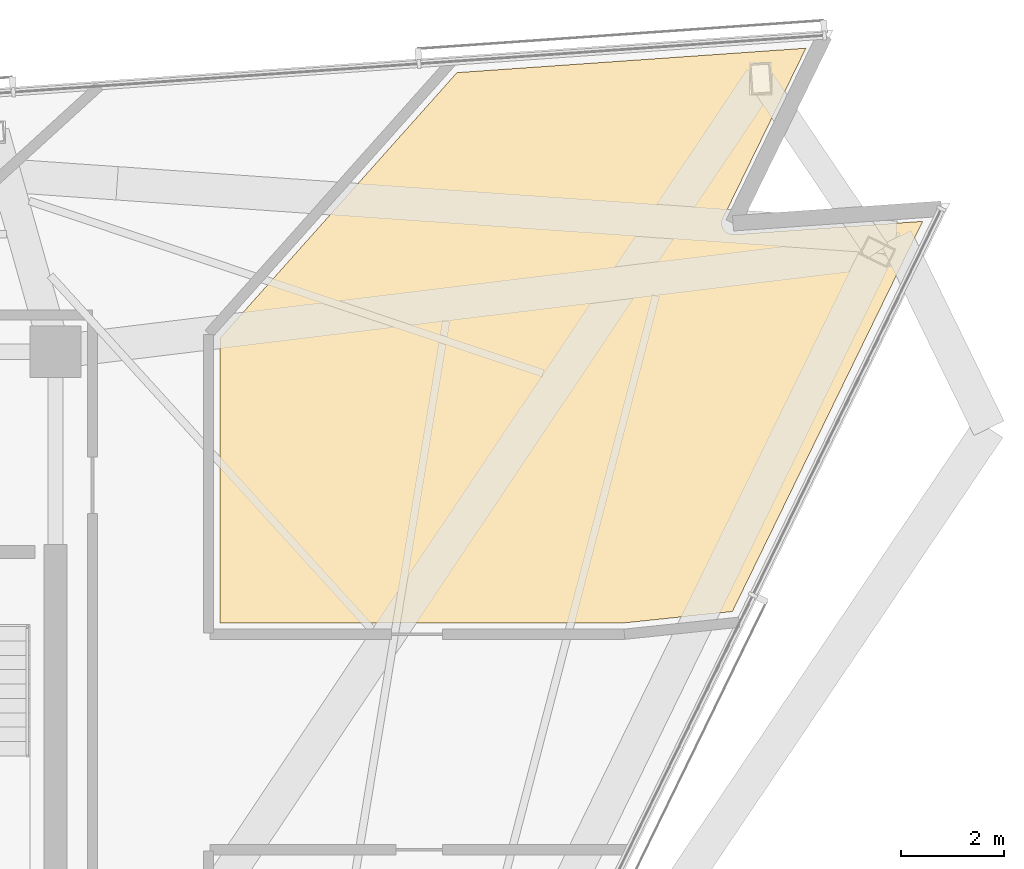
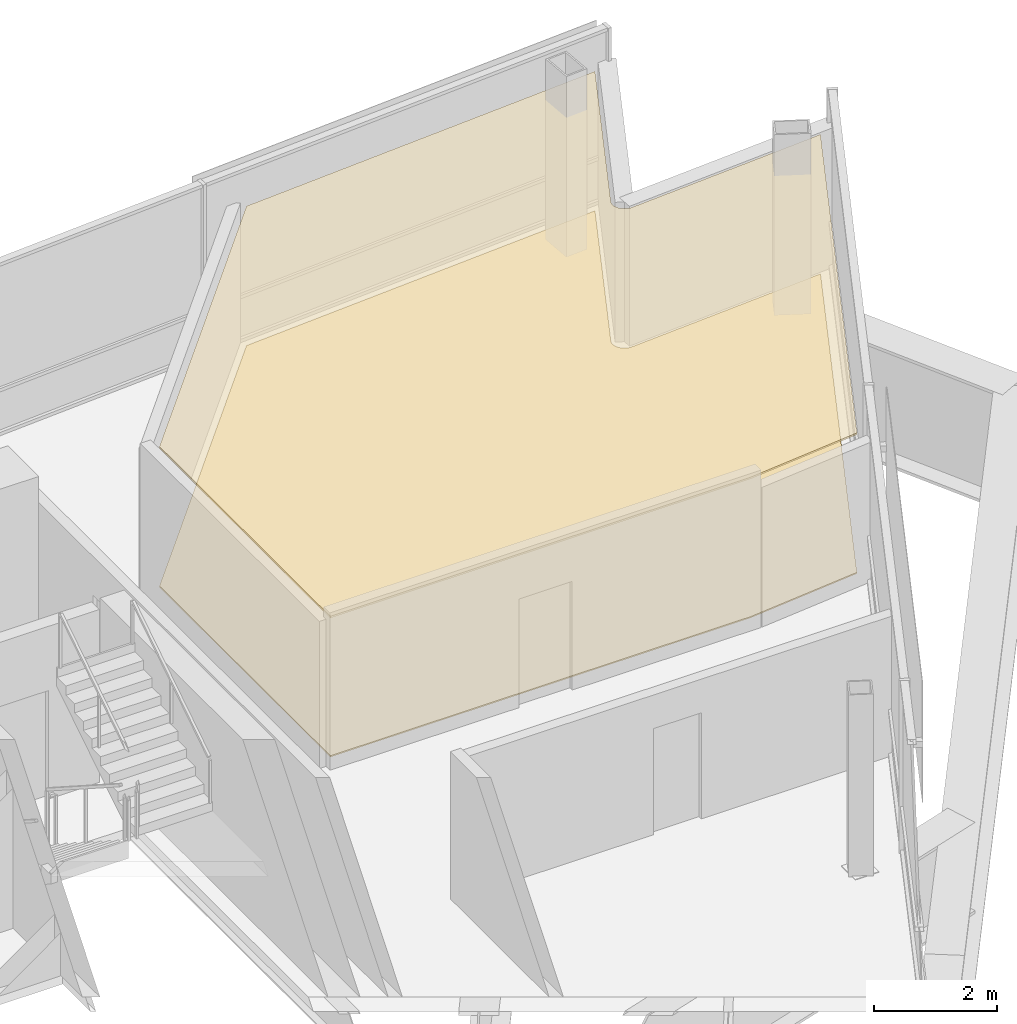
# One storey, part 17 of 17: 2 coverings.
"""IFC4 building model written with IfcOpenShell, lengths in metres."""

from ifc_helpers import new_model, si_unit, direction, frame, origin, place, context, subcontext, project, spatial, polyline, outline, extrude, material, layer, layer_set, type_object, element, save


model = new_model("IFC4")

# Units and contexts
model_context = context("Model", 3, precision=1e-05, world=origin(), true_north=direction((0.0, 1.0)))
body_context = subcontext(model_context, "Body", "Model", "MODEL_VIEW")
ifc_project = project(units=[si_unit("LENGTHUNIT", "METRE"), si_unit("AREAUNIT", "SQUARE_METRE"), si_unit("VOLUMEUNIT", "CUBIC_METRE"), si_unit("PLANEANGLEUNIT", "RADIAN"), si_unit("MASSUNIT", "GRAM", prefix="KILO")], contexts=[model_context])

# Site, building, storey
site_placement = place(None, origin())
site = spatial("IfcSite", under=ifc_project, at=site_placement, CompositionType="ELEMENT")
building_placement = place(site_placement, origin())
building = spatial("IfcBuilding", under=site, at=building_placement, Name="Tharavind Bronze Gate", CompositionType="ELEMENT")
storey_placement = place(building_placement, frame((0.0, 0.0, 253.39990234375)))
storey = spatial("IfcBuildingStorey", under=building, at=storey_placement, Name="L65", CompositionType="ELEMENT", Elevation=253.39990234375)

# Coverings
ifc_material_1 = material(Name="Engineered Oak & Carpet Tile", Category="wood")
ifc_layer_1 = layer(ifc_material_1, 0.02490234375)
ifc_layer_set_1 = layer_set([ifc_layer_1], Name="Engineered Oak & Carpet Tile")
covering_type_1 = type_object("IfcCoveringType", Name="ENGINEERED TIMBER FLOORING", PredefinedType="FLOORING", material=ifc_layer_set_1)
covering_1_placement = place(storey_placement, origin())
element("IfcCovering", 1, at=covering_1_placement, inside=storey, type_object=covering_type_1, Name="L65-RM-01 floor finish", PredefinedType="FLOORING", context=body_context, shape_type="SweptSolid", body=[
    extrude(outline(polyline([(19.968505859375, 2.320068359375), (22.083740234375, 2.542236328125), (25.79052734375, 10.142578125), (22.11328125, 9.885498046875), (22.102294921875, 9.885009765625), (22.1015625, 9.885009765625), (22.07958984375, 9.885498046875), (22.05810546875, 9.888427734375), (22.03662109375, 9.893310546875), (22.015869140625, 9.900390625), (21.995849609375, 9.90966796875), (21.97705078125, 9.920654296875), (21.959228515625, 9.93359375), (21.94287109375, 9.947998046875), (21.927978515625, 9.96435546875), (21.914794921875, 9.981689453125), (21.903564453125, 10.00048828125), (21.89404296875, 10.0205078125), (21.88671875, 10.041015625), (21.88134765625, 10.062255859375), (21.878173828125, 10.083984375), (21.877197265625, 10.10595703125), (21.87841796875, 10.127685546875), (21.8818359375, 10.1494140625), (21.88720703125, 10.170654296875), (21.89501953125, 10.19140625), (21.895263671875, 10.19189453125), (21.899658203125, 10.201904296875), (23.515625, 13.51513671875), (16.718994140625, 13.039794921875), (12.10009765625, 7.86181640625), (12.10009765625, 2.320068359375), (19.968505859375, 2.320068359375)])), origin(), (0.0, 0.0, 1.0), 0.025146484375),
])
ifc_material_2 = material(Name="Acoustic Gypsum Board", Category="gypsum")
ifc_layer_2 = layer(ifc_material_2, 0.030029296875)
ifc_layer_set_2 = layer_set([ifc_layer_2], Name="Acoustic Gypsum Board")
covering_type_2 = type_object("IfcCoveringType", Name="GYPSUM SUSPENDED CEILING", PredefinedType="CEILING", material=ifc_layer_set_2)
covering_2_placement = place(storey_placement, frame((0.0, 0.0, 2.75)))
element("IfcCovering", 2, at=covering_2_placement, inside=storey, type_object=covering_type_2, Name="L65-RM-01 suspended ceiling", PredefinedType="CEILING", context=body_context, shape_type="SweptSolid", body=[
    extrude(outline(polyline([(19.968505859375, 2.320068359375), (22.083740234375, 2.542236328125), (25.79052734375, 10.142578125), (22.11328125, 9.885498046875), (22.102294921875, 9.885009765625), (22.1015625, 9.885009765625), (22.07958984375, 9.885498046875), (22.05810546875, 9.888427734375), (22.03662109375, 9.893310546875), (22.015869140625, 9.900390625), (21.995849609375, 9.90966796875), (21.97705078125, 9.920654296875), (21.959228515625, 9.93359375), (21.94287109375, 9.947998046875), (21.927978515625, 9.96435546875), (21.914794921875, 9.981689453125), (21.903564453125, 10.00048828125), (21.89404296875, 10.0205078125), (21.88671875, 10.041015625), (21.88134765625, 10.062255859375), (21.878173828125, 10.083984375), (21.877197265625, 10.10595703125), (21.87841796875, 10.127685546875), (21.8818359375, 10.1494140625), (21.88720703125, 10.170654296875), (21.89501953125, 10.19140625), (21.895263671875, 10.19189453125), (21.899658203125, 10.201904296875), (23.515625, 13.51513671875), (16.718994140625, 13.039794921875), (12.10009765625, 7.86181640625), (12.10009765625, 2.320068359375), (19.968505859375, 2.320068359375)])), origin(), (0.0, 0.0, 1.0), 0.03515625),
])

save(model, "model.ifc")
